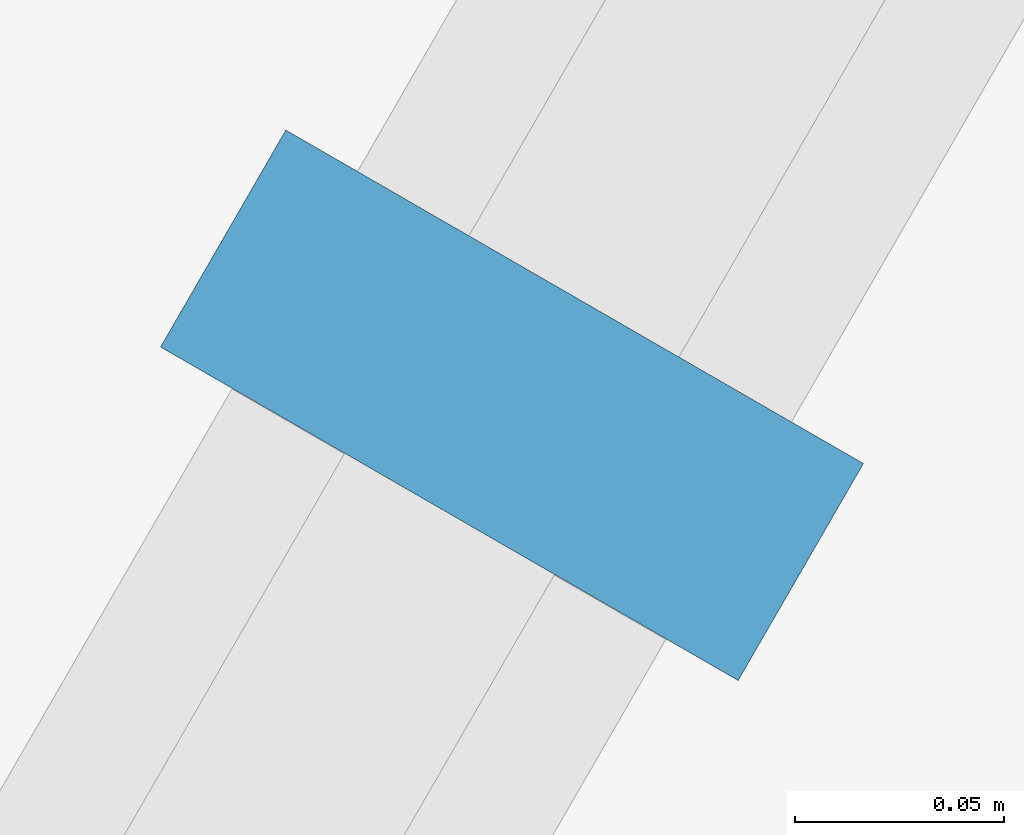
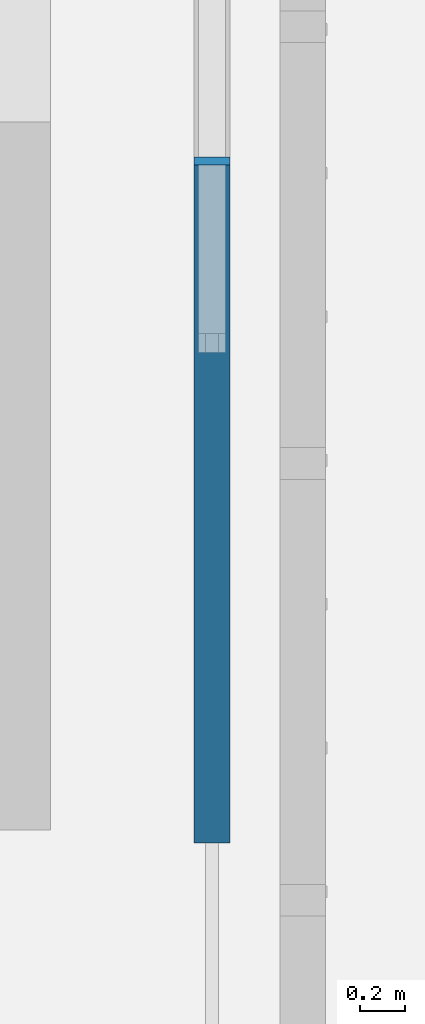
# One storey, part 35 of 127: 1 member, 1 element without a shape of its own.
"""IFC4 building model written with IfcOpenShell, lengths in metres."""

from ifc_helpers import new_model, si_unit, direction, frame, origin, origin_2d, place, context, subcontext, project, spatial, rectangle, extrude, material, material_profile, profile_set, type_object, element, aggregate, save


model = new_model("IFC4")

# Units and contexts
model_context = context("Model", 3, precision=1e-05, world=origin(), true_north=direction((0.0, 1.0)))
body_context = subcontext(model_context, "Body", "Model", "MODEL_VIEW")
ifc_project = project(units=[si_unit("LENGTHUNIT", "METRE"), si_unit("AREAUNIT", "SQUARE_METRE"), si_unit("VOLUMEUNIT", "CUBIC_METRE"), si_unit("PLANEANGLEUNIT", "RADIAN"), si_unit("MASSUNIT", "GRAM", prefix="KILO")], contexts=[model_context])

# Site, building, storey
site_placement = place(None, origin())
site = spatial("IfcSite", under=ifc_project, at=site_placement, CompositionType="ELEMENT")
building_placement = place(site_placement, origin())
building = spatial("IfcBuilding", under=site, at=building_placement, Name="Sandreach Pilgrim Tower", CompositionType="ELEMENT")
storey_placement = place(building_placement, frame((0.0, 0.0, 257.0)))
storey = spatial("IfcBuildingStorey", under=building, at=storey_placement, Name="L64", CompositionType="ELEMENT", Elevation=257.0)

# Curtain wall, member
ifc_material_1 = material(Name="Aluminium framed curtain wall", Category="aluminium")
curtain_wall_type = type_object("IfcCurtainWallType", Name="Suite tower curtain wall", PredefinedType="NOTDEFINED", material=ifc_material_1)
curtain_wall_placement = place(storey_placement, origin())
curtain_wall = element("IfcCurtainWall", 1, at=curtain_wall_placement, inside=storey, type_object=curtain_wall_type, Name="CW-4 L64 SE", PredefinedType="NOTDEFINED")
ifc_material_2 = material(Name="Aluminium extrusion", Category="aluminium")
ifc_material_profile = material_profile(ifc_material_2, rectangle(XDim=0.06005859375, YDim=0.159912109375, at=origin_2d()), Name="CW-4M 60X160")
ifc_profile_set = profile_set([ifc_material_profile], Name="Aluminium extrusion")
member_type = type_object("IfcMemberType", Name="CW-4 mullion", PredefinedType="MULLION", material=ifc_profile_set)
member_placement = place(storey_placement, frame((10.83203125, -20.891357421875, 0.0), z_axis=(0.0, 0.0, 1.0), x_axis=(-0.5, -0.866025403784, 0.0)))
member = element("IfcMember", 2, at=member_placement, type_object=member_type, Name="CW-4 mullion 9", PredefinedType="MULLION", context=body_context, shape_type="SweptSolid", body=[
    extrude(rectangle(XDim=0.06005859375, YDim=0.159912109375, at=origin_2d()), origin(), (0.0, 0.0, 1.0), 3.639892578125),
])
aggregate(curtain_wall, [member])

save(model, "model.ifc")
